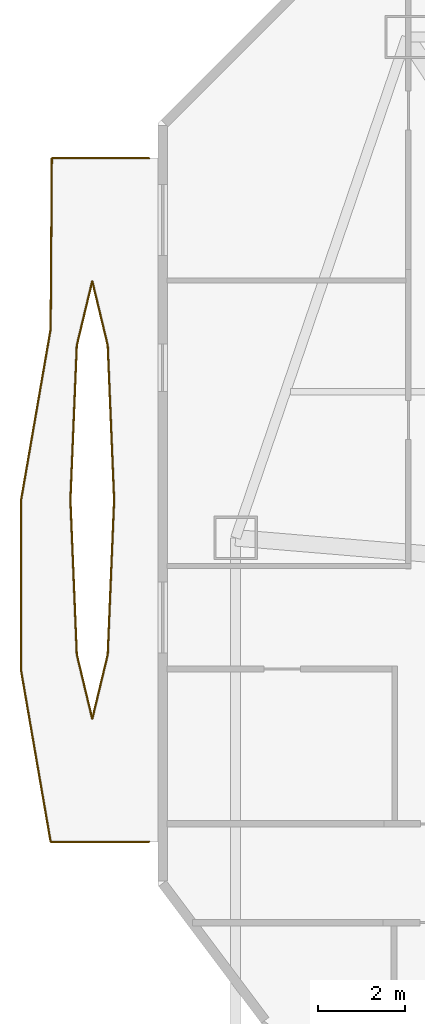
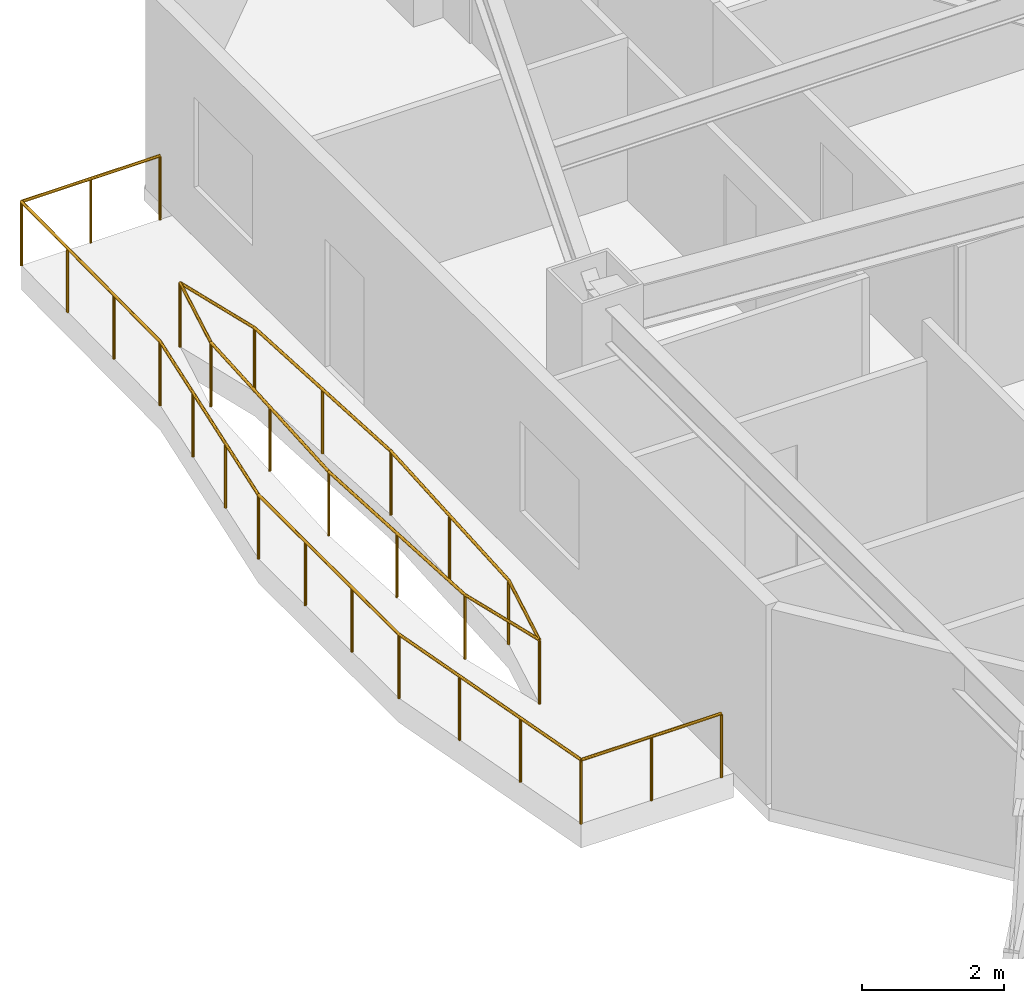
# One storey, part 16 of 16: 4 railings.
"""IFC4 building model written with IfcOpenShell, lengths in metres."""

from ifc_helpers import new_model, si_unit, direction, frame, origin, origin_2d, place, context, subcontext, project, spatial, circle, extrude, material, type_object, element, save


model = new_model("IFC4")

# Units and contexts
model_context = context("Model", 3, precision=1e-05, world=origin(), true_north=direction((0.0, 1.0)))
body_context = subcontext(model_context, "Body", "Model", "MODEL_VIEW")
ifc_project = project(units=[si_unit("LENGTHUNIT", "METRE"), si_unit("AREAUNIT", "SQUARE_METRE"), si_unit("VOLUMEUNIT", "CUBIC_METRE"), si_unit("PLANEANGLEUNIT", "RADIAN"), si_unit("MASSUNIT", "GRAM", prefix="KILO")], contexts=[model_context])

# Site, building, storey
site_placement = place(None, origin())
site = spatial("IfcSite", under=ifc_project, at=site_placement, CompositionType="ELEMENT")
building_placement = place(site_placement, origin())
building = spatial("IfcBuilding", under=site, at=building_placement, Name="Khamvora Tower", CompositionType="ELEMENT")
storey_placement = place(building_placement, frame((0.0, 0.0, 77.10009765625)))
storey = spatial("IfcBuildingStorey", under=building, at=storey_placement, Name="L19", CompositionType="ELEMENT", Elevation=77.10009765625)

# Railings
ifc_material = material(Name="Stainless Steel 316 and Laminated Glass", Category="steel")
railing_type = type_object("IfcRailingType", Name="RAL-GAL-1120", PredefinedType="GUARDRAIL", material=ifc_material)
railing_1_placement = place(storey_placement, frame((3.800048828125, 32.199951171875, 0.0)))
element("IfcRailing", 1, at=railing_1_placement, inside=storey, type_object=railing_type, Name="L19 lens gallery south perimeter guardrail WL2", PredefinedType="GUARDRAIL", context=body_context, shape_type="SweptSolid", body=[
    extrude(circle(Radius=0.02392578125, at=origin_2d()), frame((0.0, 0.0, 1.09619140625), z_axis=(-1.0, 0.0, 0.0), x_axis=(0.0, -1.0, 0.0)), (0.0, 0.0, 1.0), 2.278076171875),
    extrude(circle(Radius=0.02392578125, at=origin_2d()), frame((-2.278076171875, 0.0, 1.09619140625), z_axis=(-0.170114955113, 0.985424224406, 0.0), x_axis=(-0.985424224406, -0.170114955113, 0.0)), (0.0, 0.0, 1.0), 4.00830078125),
    extrude(circle(Radius=0.02392578125, at=origin_2d()), frame((-2.9599609375, 3.949951171875, 1.09619140625), z_axis=(-0.000247218781, 0.999999969441, 0.0), x_axis=(-0.999999969441, -0.000247218781, 0.0)), (0.0, 0.0, 1.0), 3.9501953125),
    extrude(circle(Radius=0.02099609375, at=origin_2d()), origin(), (0.0, 0.0, 1.0), 1.072021484375),
    extrude(circle(Radius=0.02099609375, at=origin_2d()), frame((-1.13916015625, 0.0, 0.0)), (0.0, 0.0, 1.0), 1.072021484375),
    extrude(circle(Radius=0.02099609375, at=origin_2d()), frame((-2.278076171875, 0.0, 0.0)), (0.0, 0.0, 1.0), 1.072021484375),
    extrude(circle(Radius=0.02099609375, at=origin_2d()), frame((-2.50537109375, 1.316650390625, 0.0)), (0.0, 0.0, 1.0), 1.072021484375),
    extrude(circle(Radius=0.02099609375, at=origin_2d()), frame((-2.732666015625, 2.63330078125, 0.0)), (0.0, 0.0, 1.0), 1.072021484375),
    extrude(circle(Radius=0.02099609375, at=origin_2d()), frame((-2.9599609375, 3.949951171875, 0.0)), (0.0, 0.0, 1.0), 1.072021484375),
    extrude(circle(Radius=0.02099609375, at=origin_2d()), frame((-2.960205078125, 5.2666015625, 0.0)), (0.0, 0.0, 1.0), 1.072021484375),
    extrude(circle(Radius=0.02099609375, at=origin_2d()), frame((-2.960693359375, 6.58349609375, 0.0)), (0.0, 0.0, 1.0), 1.072021484375),
    extrude(circle(Radius=0.02099609375, at=origin_2d()), frame((-2.9609375, 7.900146484375, 0.0)), (0.0, 0.0, 1.0), 1.072021484375),
])
railing_2_placement = place(storey_placement, frame((0.839111328125, 40.10009765625, 0.0)))
element("IfcRailing", 2, at=railing_2_placement, inside=storey, type_object=railing_type, Name="L19 lens gallery north perimeter guardrail WL2", PredefinedType="GUARDRAIL", context=body_context, shape_type="SweptSolid", body=[
    extrude(circle(Radius=0.02392578125, at=origin_2d()), frame((0.0, 0.0, 1.09619140625), z_axis=(0.170351520394, 0.985383356618, 0.0), x_axis=(-0.985383356618, 0.170351520394, 0.0)), (0.0, 0.0, 1.0), 4.008544921875),
    extrude(circle(Radius=0.02392578125, at=origin_2d()), frame((0.682861328125, 3.949951171875, 1.09619140625), z_axis=(0.006860583949, 0.999976465917, 0.0), x_axis=(-0.999976465917, 0.006860583949, 0.0)), (0.0, 0.0, 1.0), 3.949951171875),
    extrude(circle(Radius=0.02392578125, at=origin_2d()), frame((0.7099609375, 7.89990234375, 1.09619140625), z_axis=(1.0, 0.0, 0.0), x_axis=(0.0, 1.0, 0.0)), (0.0, 0.0, 1.0), 2.2509765625),
    extrude(circle(Radius=0.02099609375, at=origin_2d()), origin(), (0.0, 0.0, 1.0), 1.072021484375),
    extrude(circle(Radius=0.02099609375, at=origin_2d()), frame((0.2275390625, 1.316650390625, 0.0)), (0.0, 0.0, 1.0), 1.072021484375),
    extrude(circle(Radius=0.02099609375, at=origin_2d()), frame((0.455322265625, 2.63330078125, 0.0)), (0.0, 0.0, 1.0), 1.072021484375),
    extrude(circle(Radius=0.02099609375, at=origin_2d()), frame((0.682861328125, 3.949951171875, 0.0)), (0.0, 0.0, 1.0), 1.072021484375),
    extrude(circle(Radius=0.02099609375, at=origin_2d()), frame((0.69189453125, 5.2666015625, 0.0)), (0.0, 0.0, 1.0), 1.072021484375),
    extrude(circle(Radius=0.02099609375, at=origin_2d()), frame((0.700927734375, 6.583251953125, 0.0)), (0.0, 0.0, 1.0), 1.072021484375),
    extrude(circle(Radius=0.02099609375, at=origin_2d()), frame((0.7099609375, 7.89990234375, 0.0)), (0.0, 0.0, 1.0), 1.072021484375),
    extrude(circle(Radius=0.02099609375, at=origin_2d()), frame((1.83544921875, 7.89990234375, 0.0)), (0.0, 0.0, 1.0), 1.072021484375),
    extrude(circle(Radius=0.02099609375, at=origin_2d()), frame((2.9609375, 7.89990234375, 0.0)), (0.0, 0.0, 1.0), 1.072021484375),
])
railing_3_placement = place(storey_placement, frame((2.989013671875, 40.10009765625, 0.0)))
element("IfcRailing", 3, at=railing_3_placement, inside=storey, type_object=railing_type, Name="L19 lens gallery void guardrail WL2A", PredefinedType="GUARDRAIL", context=body_context, shape_type="SweptSolid", body=[
    extrude(circle(Radius=0.02392578125, at=origin_2d()), frame((0.0, 0.0, 1.09619140625), z_axis=(-0.041349567233, 0.999144740911, 0.0), x_axis=(-0.999144740911, -0.041349567233, 0.0)), (0.0, 0.0, 1.0), 3.578125),
    extrude(circle(Radius=0.02392578125, at=origin_2d()), frame((-0.14794921875, 3.574951171875, 1.09619140625), z_axis=(-0.233700305622, 0.972308678945, 0.0), x_axis=(-0.972308678945, -0.233700305622, 0.0)), (0.0, 0.0, 1.0), 1.523193359375),
    extrude(circle(Radius=0.02392578125, at=origin_2d()), frame((-0.50390625, 5.055908203125, 1.09619140625), z_axis=(-0.233851831104, -0.972272246384, 0.0), x_axis=(0.972272246384, -0.233851831104, 0.0)), (0.0, 0.0, 1.0), 1.523193359375),
    extrude(circle(Radius=0.02392578125, at=origin_2d()), frame((-0.860107421875, 3.574951171875, 1.09619140625), z_axis=(-0.041349567233, -0.999144740911, 0.0), x_axis=(0.999144740911, -0.041349567233, 0.0)), (0.0, 0.0, 1.0), 3.578125),
    extrude(circle(Radius=0.02099609375, at=origin_2d()), origin(), (0.0, 0.0, 1.0), 1.072021484375),
    extrude(circle(Radius=0.02099609375, at=origin_2d()), frame((-0.073974609375, 1.78759765625, 0.0)), (0.0, 0.0, 1.0), 1.072021484375),
    extrude(circle(Radius=0.02099609375, at=origin_2d()), frame((-0.14794921875, 3.574951171875, 0.0)), (0.0, 0.0, 1.0), 1.072021484375),
    extrude(circle(Radius=0.02099609375, at=origin_2d()), frame((-0.50390625, 5.055908203125, 0.0)), (0.0, 0.0, 1.0), 1.072021484375),
    extrude(circle(Radius=0.02099609375, at=origin_2d()), frame((-0.860107421875, 3.574951171875, 0.0)), (0.0, 0.0, 1.0), 1.072021484375),
    extrude(circle(Radius=0.02099609375, at=origin_2d()), frame((-0.93408203125, 1.78759765625, 0.0)), (0.0, 0.0, 1.0), 1.072021484375),
    extrude(circle(Radius=0.02099609375, at=origin_2d()), frame((-1.008056640625, 0.0, 0.0)), (0.0, 0.0, 1.0), 1.072021484375),
])
railing_4_placement = place(storey_placement, frame((1.98095703125, 40.10009765625, 0.0)))
element("IfcRailing", 4, at=railing_4_placement, inside=storey, type_object=railing_type, Name="L19 lens gallery void guardrail WL2B", PredefinedType="GUARDRAIL", context=body_context, shape_type="SweptSolid", body=[
    extrude(circle(Radius=0.02392578125, at=origin_2d()), frame((0.0, 0.0, 1.09619140625), z_axis=(0.041346748408, -0.999144857564, 0.0), x_axis=(0.999144857564, 0.041346748408, 0.0)), (0.0, 0.0, 1.0), 3.578369140625),
    extrude(circle(Radius=0.02392578125, at=origin_2d()), frame((0.14794921875, -3.5751953125, 1.09619140625), z_axis=(0.233851831104, -0.972272246384, 0.0), x_axis=(0.972272246384, 0.233851831104, 0.0)), (0.0, 0.0, 1.0), 1.523193359375),
    extrude(circle(Radius=0.02392578125, at=origin_2d()), frame((0.504150390625, -5.05615234375, 1.09619140625), z_axis=(0.233700305622, 0.972308678945, 0.0), x_axis=(-0.972308678945, 0.233700305622, 0.0)), (0.0, 0.0, 1.0), 1.523193359375),
    extrude(circle(Radius=0.02392578125, at=origin_2d()), frame((0.860107421875, -3.5751953125, 1.09619140625), z_axis=(0.041346748408, 0.999144857564, 0.0), x_axis=(-0.999144857564, 0.041346748408, 0.0)), (0.0, 0.0, 1.0), 3.578369140625),
    extrude(circle(Radius=0.02099609375, at=origin_2d()), origin(), (0.0, 0.0, 1.0), 1.072021484375),
    extrude(circle(Radius=0.02099609375, at=origin_2d()), frame((0.073974609375, -1.78759765625, 0.0)), (0.0, 0.0, 1.0), 1.072021484375),
    extrude(circle(Radius=0.02099609375, at=origin_2d()), frame((0.14794921875, -3.5751953125, 0.0)), (0.0, 0.0, 1.0), 1.072021484375),
    extrude(circle(Radius=0.02099609375, at=origin_2d()), frame((0.504150390625, -5.05615234375, 0.0)), (0.0, 0.0, 1.0), 1.072021484375),
    extrude(circle(Radius=0.02099609375, at=origin_2d()), frame((0.860107421875, -3.5751953125, 0.0)), (0.0, 0.0, 1.0), 1.072021484375),
    extrude(circle(Radius=0.02099609375, at=origin_2d()), frame((0.93408203125, -1.78759765625, 0.0)), (0.0, 0.0, 1.0), 1.072021484375),
    extrude(circle(Radius=0.02099609375, at=origin_2d()), frame((1.008056640625, 0.0, 0.0)), (0.0, 0.0, 1.0), 1.072021484375),
])

save(model, "model.ifc")
